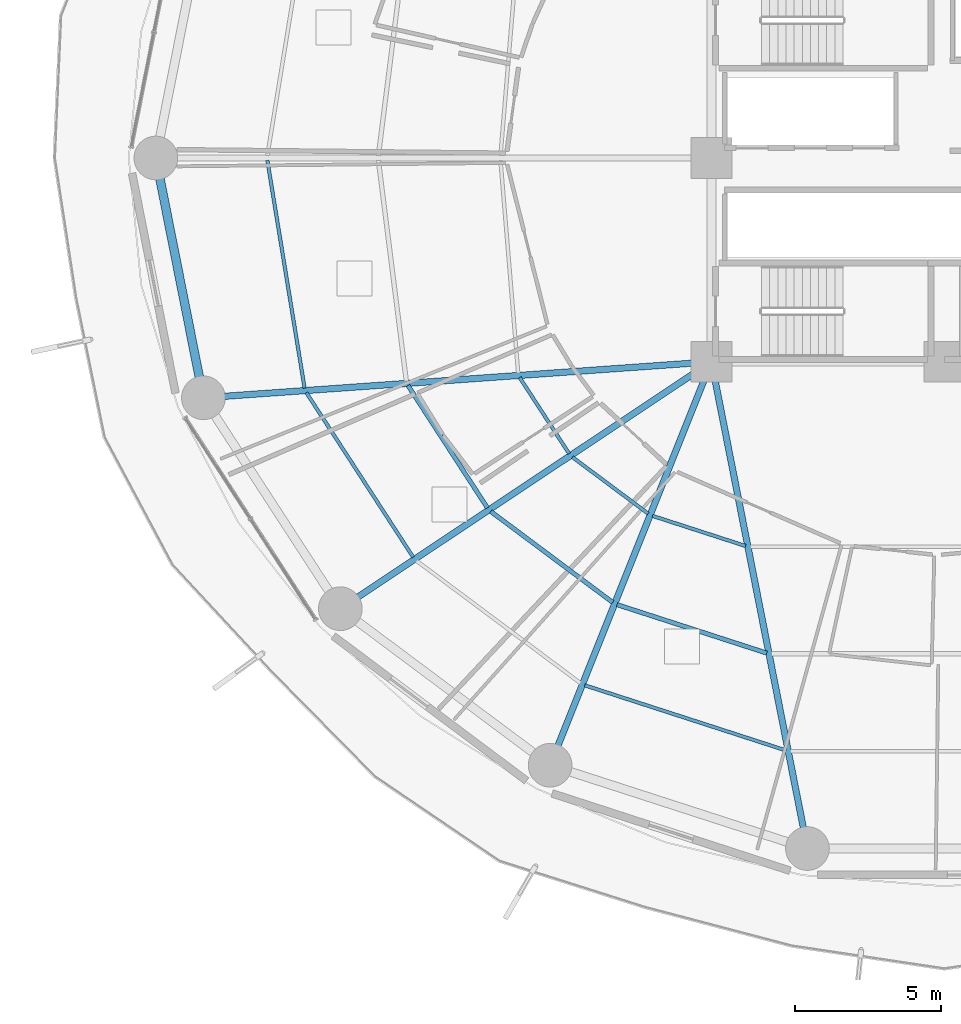
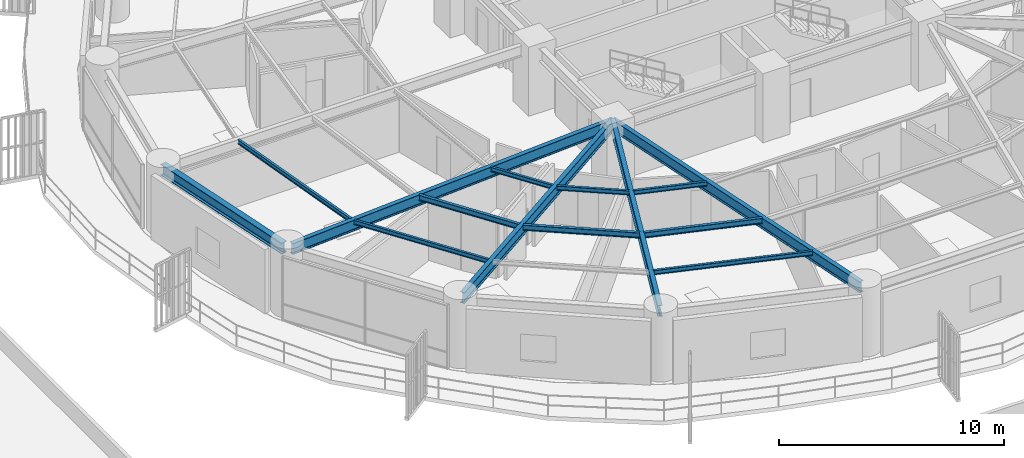
# One storey, part 4 of 35: 14 beams.
"""IFC4 building model written with IfcOpenShell, lengths in metres."""

import ifcopenshell
import ifcopenshell.guid

model = None  # the IFC model being written
_history = None  # IfcOwnerHistory: only IFC2X3 demands one
_inside = {}  # id of a spatial element -> (the spatial element, [elements in it])
_under = {}  # id of a project, library or spatial element -> (it, [spatial elements below it])
_declared = {}  # id of a project -> (the project, [libraries it declares])
_typed = {}  # id of a type object -> (the type object, [elements of that type])
_made_of = {}  # id of a material, layer set ... -> (it, [elements and type objects made of it])


def new_model(schema):
    """Start an empty IFC model of exactly this schema.

    Asked for "IFC4X3", IfcOpenShell would pick the latest addendum, in which some entities
    have other attributes; the version numbers below select the first issue.
    IFC2X3 requires an IfcOwnerHistory on every rooted entity: one is made here for all.
    """
    global model, _history
    if schema == "IFC4X3":
        model = ifcopenshell.file(schema_version=(4, 3, 0, 0))
    else:
        model = ifcopenshell.file(schema=schema)
    _inside.clear()
    _under.clear()
    _declared.clear()
    _typed.clear()
    _made_of.clear()
    _history = None
    if model.schema == "IFC2X3":
        org = make("IfcOrganization", Name="unknown")
        user = make(
            "IfcPersonAndOrganization",
            ThePerson=make("IfcPerson", FamilyName="unknown"),
            TheOrganization=org,
        )
        app = make(
            "IfcApplication",
            ApplicationDeveloper=org,
            Version="unknown",
            ApplicationFullName="unknown",
            ApplicationIdentifier="unknown",
        )
        _history = make(
            "IfcOwnerHistory",
            OwningUser=user,
            OwningApplication=app,
            ChangeAction="ADDED",
            CreationDate=0,
        )
    return model


def make(cls, **values):
    """One entity of the class cls with the attributes given. An attribute that is None is left unset."""
    return model.create_entity(
        cls, **{name: value for name, value in values.items() if value is not None}
    )


def rooted(cls, **values):
    """An entity with a GlobalId (a new one), such as an element, a storey or a relation."""
    return make(cls, GlobalId=ifcopenshell.guid.new(), OwnerHistory=_history, **values)


def si_unit(unit_type, name, prefix=None):
    """IfcSIUnit, for example si_unit("LENGTHUNIT", "METRE", prefix="MILLI")."""
    return make("IfcSIUnit", UnitType=unit_type, Prefix=prefix, Name=name)


def assignment(units):
    """IfcUnitAssignment: the units of a project."""
    return None if units is None else make("IfcUnitAssignment", Units=units)


def point(xyz):
    """IfcCartesianPoint."""
    return None if xyz is None else make("IfcCartesianPoint", Coordinates=xyz)


def direction(xyz):
    """IfcDirection."""
    return None if xyz is None else make("IfcDirection", DirectionRatios=xyz)


def frame(location, z_axis=None, x_axis=None):
    """IfcAxis2Placement3D, a coordinate frame: its origin and axes. An axis left out is left unset."""
    return make(
        "IfcAxis2Placement3D",
        Location=point(location),
        Axis=direction(z_axis),
        RefDirection=direction(x_axis),
    )


def frame_2d(location, x_axis=None):
    """IfcAxis2Placement2D, a coordinate frame in the plane: its origin and x axis."""
    return make(
        "IfcAxis2Placement2D", Location=point(location), RefDirection=direction(x_axis)
    )


def origin():
    """The frame at (0, 0, 0) with its axes left unset."""
    return frame((0.0, 0.0, 0.0))


def origin_2d():
    """The frame at (0, 0) in the plane with its x axis left unset."""
    return frame_2d((0.0, 0.0))


def place(relative_to, where):
    """IfcLocalPlacement: puts the frame where relative to a parent placement (None: the world)."""
    return make(
        "IfcLocalPlacement", PlacementRelTo=relative_to, RelativePlacement=where
    )


def context(
    kind, dimensions, precision=None, world=None, true_north=None, identifier=None
):
    """IfcGeometricRepresentationContext, for example the 3D "Model" context."""
    return make(
        "IfcGeometricRepresentationContext",
        ContextIdentifier=identifier,
        ContextType=kind,
        CoordinateSpaceDimension=dimensions,
        Precision=precision,
        WorldCoordinateSystem=world,
        TrueNorth=true_north,
    )


def subcontext(parent, identifier, kind, view, scale=None):
    """IfcGeometricRepresentationSubContext, for example "Body" below "Model"."""
    return make(
        "IfcGeometricRepresentationSubContext",
        ContextIdentifier=identifier,
        ContextType=kind,
        ParentContext=parent,
        TargetScale=scale,
        TargetView=view,
    )


def project(units=None, contexts=None):
    """IfcProject with its units and contexts."""
    return rooted(
        "IfcProject",
        Name="project",
        RepresentationContexts=contexts,
        UnitsInContext=assignment(units),
    )


def spatial(cls, under=None, at=None, **own):
    """A site, building, storey or space (cls), placed at a placement, below another one or the project."""
    s = rooted(cls, ObjectPlacement=at, **own)
    if under is not None:
        _under.setdefault(under.id(), (under, []))[1].append(s)
    return s


def profile(cls, at=None, kind="AREA", **sizes):
    """A parametric profile (cls). Its sizes go by their IFC names, for example OverallWidth=200.0."""
    return make(cls, ProfileType=kind, Position=at, **sizes)


def i_section(**sizes):
    """IfcIShapeProfileDef."""
    return profile("IfcIShapeProfileDef", **sizes)


def extrude(swept, where, along, depth):
    """IfcExtrudedAreaSolid: the profile swept, set in the frame where, extruded along a direction by depth."""
    return make(
        "IfcExtrudedAreaSolid",
        SweptArea=swept,
        Position=where,
        ExtrudedDirection=direction(along),
        Depth=depth,
    )


def shape(context_of_items, identifier, shape_type, items):
    """IfcShapeRepresentation: the items that make up one representation, for example the "Body"."""
    return make(
        "IfcShapeRepresentation",
        ContextOfItems=context_of_items,
        RepresentationIdentifier=identifier,
        RepresentationType=shape_type,
        Items=items,
    )


def material(Name=None, Category=None):
    """IfcMaterial."""
    return make("IfcMaterial", Name=Name, Category=Category)


def material_profile(
    of_material, cross_section, Name=None, Category=None, Priority=None
):
    """IfcMaterialProfile: a cross section and its material."""
    return make(
        "IfcMaterialProfile",
        Name=Name,
        Material=of_material,
        Profile=cross_section,
        Priority=Priority,
        Category=Category,
    )


def profile_set(profiles, Name=None, composite=None):
    """IfcMaterialProfileSet."""
    return make(
        "IfcMaterialProfileSet",
        Name=Name,
        MaterialProfiles=profiles,
        CompositeProfile=composite,
    )


def made_of(thing, what):
    """Note that an element or type object is made of a material, layer set ...; save() writes the relation."""
    if what is not None:
        _made_of.setdefault(what.id(), (what, []))[1].append(thing)
    return thing


def type_object(cls, material=None, **own):
    """A type object (cls), such as IfcWallType, which elements share."""
    return made_of(rooted(cls, **own), material)


def element(
    cls,
    number,
    at=None,
    inside=None,
    cuts=None,
    type_object=None,
    material=None,
    context=None,
    identifier="Body",
    shape_type=None,
    held_by="IfcProductDefinitionShape",
    body=None,
    shapes=None,
    **own,
):
    """One element of the class cls, such as IfcWall. Its Tag is "e" and its number.

    at: its placement. inside: the storey or other place that contains it. cuts: it is an
    opening in that element (IfcRelVoidsElement). A single representation is given by context,
    identifier, shape_type and body (its items); several are given by shapes. held_by: the class
    of the entity that holds the representations. save() writes the other relations.
    """
    e = rooted(cls, Tag="e%d" % number, ObjectPlacement=at, **own)
    if body is not None:
        shapes = [shape(context, identifier, shape_type, body)]
    if shapes is not None:
        e.Representation = make(held_by, Representations=shapes)
    if inside is not None:
        _inside.setdefault(inside.id(), (inside, []))[1].append(e)
    if cuts is not None:
        rooted(
            "IfcRelVoidsElement", RelatingBuildingElement=cuts, RelatedOpeningElement=e
        )
    if type_object is not None:
        _typed.setdefault(type_object.id(), (type_object, []))[1].append(e)
    return made_of(e, material)


def aggregate(whole, parts):
    """IfcRelAggregates: a whole, such as a stair, and the parts it consists of."""
    return rooted("IfcRelAggregates", RelatingObject=whole, RelatedObjects=parts)


def save(model, path):
    """Write the relations noted so far, then the file.

    IfcRelAggregates (storeys below a building ...), IfcRelContainedInSpatialStructure (elements
    in a storey), IfcRelDefinesByType, IfcRelAssociatesMaterial and IfcRelDeclares: one each for
    every whole, place, type object, material and project.
    """
    for whole, parts in _under.values():
        aggregate(whole, parts)
    for where, things in _inside.values():
        rooted(
            "IfcRelContainedInSpatialStructure",
            RelatedElements=things,
            RelatingStructure=where,
        )
    for kind, things in _typed.values():
        rooted("IfcRelDefinesByType", RelatedObjects=things, RelatingType=kind)
    for what, things in _made_of.values():
        rooted("IfcRelAssociatesMaterial", RelatedObjects=things, RelatingMaterial=what)
    for by, libraries in _declared.values():
        rooted("IfcRelDeclares", RelatingContext=by, RelatedDefinitions=libraries)
    model.write(path)


model = new_model("IFC4")

# Units and contexts
model_context = context("Model", 3, precision=1e-05, world=origin(), true_north=direction((0.0, 1.0)))
body_context = subcontext(model_context, "Body", "Model", "MODEL_VIEW")
ifc_project = project(units=[si_unit("LENGTHUNIT", "METRE"), si_unit("AREAUNIT", "SQUARE_METRE"), si_unit("VOLUMEUNIT", "CUBIC_METRE"), si_unit("PLANEANGLEUNIT", "RADIAN"), si_unit("MASSUNIT", "GRAM", prefix="KILO")], contexts=[model_context])

# Site, building, storey
site_placement = place(None, origin())
site = spatial("IfcSite", under=ifc_project, at=site_placement, CompositionType="ELEMENT")
building_placement = place(site_placement, origin())
building = spatial("IfcBuilding", under=site, at=building_placement, Name="Kelanora Arch Commons", CompositionType="ELEMENT")
storey_placement = place(building_placement, frame((0.0, 0.0, 22.5)))
storey = spatial("IfcBuildingStorey", under=building, at=storey_placement, Name="L05", CompositionType="ELEMENT", Elevation=22.5)

# Beams
ifc_material = material(Name="Steel S355", Category="steel")
ifc_material_profile_1 = material_profile(ifc_material, i_section(OverallWidth=0.14990234375, OverallDepth=0.300048828125, WebThickness=0.007080078125, FlangeThickness=0.0107421875, FilletRadius=0.014892578125, at=origin_2d()), Name="IPE300")
ifc_profile_set_1 = profile_set([ifc_material_profile_1], Name="Steel S355")
beam_type_1 = type_object("IfcBeamType", Name="BM-JST-01", PredefinedType="JOIST", material=ifc_profile_set_1)
beam_1_placement = place(storey_placement, frame((55.578125, 50.187255859375, 3.340087890625), z_axis=(0.544551588245, -0.838727350061, 0.0), x_axis=(0.838727350061, 0.544551588245, 0.0)))
element("IfcBeam", 1, at=beam_1_placement, inside=storey, type_object=beam_type_1, Name="Secondary Chord Joist BJB-20 L05", PredefinedType="JOIST", context=body_context, shape_type="SweptSolid", body=[
    extrude(i_section(OverallWidth=0.14990234375, OverallDepth=0.300048828125, WebThickness=0.007080078125, FlangeThickness=0.0107421875, FilletRadius=0.014892578125, at=origin_2d()), origin(), (0.0, 0.0, 1.0), 5.010986328125),
])
beam_2_placement = place(storey_placement, frame((58.42138671875, 45.8623046875, 3.340087890625), z_axis=(0.801478251559, -0.598023922831, 0.0), x_axis=(0.598023922831, 0.801478251559, 0.0)))
element("IfcBeam", 2, at=beam_2_placement, inside=storey, type_object=beam_type_1, Name="Secondary Chord Joist BJB-22 L05", PredefinedType="JOIST", context=body_context, shape_type="SweptSolid", body=[
    extrude(i_section(OverallWidth=0.14990234375, OverallDepth=0.300048828125, WebThickness=0.007080078125, FlangeThickness=0.0107421875, FilletRadius=0.014892578125, at=origin_2d()), origin(), (0.0, 0.0, 1.0), 5.223388671875),
])
beam_3_placement = place(storey_placement, frame((62.7568359375, 42.66162109375, 3.340087890625), z_axis=(0.951412209627, -0.307920131482, 0.0), x_axis=(0.307920131482, 0.951412209627, 0.0)))
element("IfcBeam", 3, at=beam_3_placement, inside=storey, type_object=beam_type_1, Name="Secondary Chord Joist BJB-24 L05", PredefinedType="JOIST", context=body_context, shape_type="SweptSolid", body=[
    extrude(i_section(OverallWidth=0.14990234375, OverallDepth=0.300048828125, WebThickness=0.007080078125, FlangeThickness=0.0107421875, FilletRadius=0.014892578125, at=origin_2d()), origin(), (0.0, 0.0, 1.0), 5.4033203125),
])
ifc_material_profile_2 = material_profile(ifc_material, i_section(OverallWidth=0.1201171875, OverallDepth=0.239990234375, WebThickness=0.006103515625, FlangeThickness=0.009765625, FilletRadius=0.014892578125, at=origin_2d()), Name="IPE240")
ifc_profile_set_2 = profile_set([ifc_material_profile_2], Name="Steel S355")
beam_type_2 = type_object("IfcBeamType", Name="BM-JST-02", PredefinedType="JOIST", material=ifc_profile_set_2)
beam_4_placement = place(storey_placement, frame((50.749755859375, 57.916015625, 3.3701171875), z_axis=(0.161400737199, -0.986888951216, 0.0), x_axis=(0.986888951216, 0.161400737199, 0.0)))
element("IfcBeam", 4, at=beam_4_placement, inside=storey, type_object=beam_type_2, Name="Secondary Chord Joist BJC-18 L05", PredefinedType="JOIST", context=body_context, shape_type="SweptSolid", body=[
    extrude(i_section(OverallWidth=0.1201171875, OverallDepth=0.239990234375, WebThickness=0.006103515625, FlangeThickness=0.009765625, FilletRadius=0.014892578125, at=origin_2d()), origin(), (0.0, 0.0, 1.0), 7.9248046875),
])
beam_5_placement = place(storey_placement, frame((59.41650390625, 50.458984375, 3.3701171875), z_axis=(0.544591105858, -0.838701691557, 0.0), x_axis=(0.838701691557, 0.544591105858, 0.0)))
element("IfcBeam", 5, at=beam_5_placement, inside=storey, type_object=beam_type_2, Name="Secondary Chord Joist BJA-20 L05", PredefinedType="JOIST", context=body_context, shape_type="SweptSolid", body=[
    extrude(i_section(OverallWidth=0.1201171875, OverallDepth=0.239990234375, WebThickness=0.006103515625, FlangeThickness=0.009765625, FilletRadius=0.014892578125, at=origin_2d()), origin(), (0.0, 0.0, 1.0), 3.111328125),
])
beam_6_placement = place(storey_placement, frame((52.0888671875, 49.940185546875, 3.3701171875), z_axis=(0.544550165372, -0.838728273873, 0.0), x_axis=(0.838728273873, 0.544550165372, 0.0)))
element("IfcBeam", 6, at=beam_6_placement, inside=storey, type_object=beam_type_2, Name="Secondary Chord Joist BJC-20 L05", PredefinedType="JOIST", context=body_context, shape_type="SweptSolid", body=[
    extrude(i_section(OverallWidth=0.1201171875, OverallDepth=0.239990234375, WebThickness=0.006103515625, FlangeThickness=0.009765625, FilletRadius=0.014892578125, at=origin_2d()), origin(), (0.0, 0.0, 1.0), 6.738037109375),
])
beam_7_placement = place(storey_placement, frame((61.22509765625, 47.727294921875, 3.3701171875), z_axis=(0.801513822608, -0.59797624716, 0.0), x_axis=(0.59797624716, 0.801513822608, 0.0)))
element("IfcBeam", 7, at=beam_7_placement, inside=storey, type_object=beam_type_2, Name="Secondary Chord Joist BJA-22 L05", PredefinedType="JOIST", context=body_context, shape_type="SweptSolid", body=[
    extrude(i_section(OverallWidth=0.1201171875, OverallDepth=0.239990234375, WebThickness=0.006103515625, FlangeThickness=0.009765625, FilletRadius=0.014892578125, at=origin_2d()), origin(), (0.0, 0.0, 1.0), 3.245849609375),
])
beam_8_placement = place(storey_placement, frame((63.9755859375, 45.709228515625, 3.3701171875), z_axis=(0.951422608074, -0.30788800049, 0.0), x_axis=(0.30788800049, 0.951422608074, 0.0)))
element("IfcBeam", 8, at=beam_8_placement, inside=storey, type_object=beam_type_2, Name="Secondary Chord Joist BJA-24 L05", PredefinedType="JOIST", context=body_context, shape_type="SweptSolid", body=[
    extrude(i_section(OverallWidth=0.1201171875, OverallDepth=0.239990234375, WebThickness=0.006103515625, FlangeThickness=0.009765625, FilletRadius=0.014892578125, at=origin_2d()), origin(), (0.0, 0.0, 1.0), 3.359619140625),
])
beam_9_placement = place(storey_placement, frame((61.64892578125, 39.890625, 3.3701171875), z_axis=(0.951410915705, -0.307924129418, 0.0), x_axis=(0.307924129418, 0.951410915705, 0.0)))
element("IfcBeam", 9, at=beam_9_placement, inside=storey, type_object=beam_type_2, Name="Secondary Chord Joist BJC-24 L05", PredefinedType="JOIST", context=body_context, shape_type="SweptSolid", body=[
    extrude(i_section(OverallWidth=0.1201171875, OverallDepth=0.239990234375, WebThickness=0.006103515625, FlangeThickness=0.009765625, FilletRadius=0.014892578125, at=origin_2d()), origin(), (0.0, 0.0, 1.0), 7.260986328125),
])
ifc_material_profile_3 = material_profile(ifc_material, i_section(OverallWidth=0.219970703125, OverallDepth=0.60009765625, WebThickness=0.011962890625, FlangeThickness=0.01904296875, FilletRadius=0.02392578125, at=origin_2d()), Name="IPE600")
ifc_profile_set_3 = profile_set([ifc_material_profile_3], Name="Steel S355")
beam_type_3 = type_object("IfcBeamType", Name="BM-RAD-Z1", PredefinedType="BEAM", material=ifc_profile_set_3)
beam_10_placement = place(storey_placement, frame((66.0, 51.0, 3.18994140625), z_axis=(-0.997500932078, -0.070653312055, 0.0), x_axis=(0.070653312055, -0.997500932078, 0.0)))
element("IfcBeam", 10, at=beam_10_placement, inside=storey, type_object=beam_type_3, Name="Radial Floor Girder BR-20 L05", PredefinedType="BEAM", context=body_context, shape_type="SweptSolid", body=[
    extrude(i_section(OverallWidth=0.219970703125, OverallDepth=0.60009765625, WebThickness=0.011962890625, FlangeThickness=0.01904296875, FilletRadius=0.02392578125, at=origin_2d()), origin(), (0.0, 0.0, 1.0), 17.2705078125),
])
beam_11_placement = place(storey_placement, frame((66.0, 51.0, 3.18994140625), z_axis=(-0.832592623638, -0.553885839379, 0.0), x_axis=(0.553885839379, -0.832592623638, 0.0)))
element("IfcBeam", 11, at=beam_11_placement, inside=storey, type_object=beam_type_3, Name="Radial Floor Girder BR-22 L05", PredefinedType="BEAM", context=body_context, shape_type="SweptSolid", body=[
    extrude(i_section(OverallWidth=0.219970703125, OverallDepth=0.60009765625, WebThickness=0.011962890625, FlangeThickness=0.01904296875, FilletRadius=0.02392578125, at=origin_2d()), origin(), (0.0, 0.0, 1.0), 15.0869140625),
])
beam_12_placement = place(storey_placement, frame((66.0, 51.0, 3.18994140625), z_axis=(-0.371296182896, -0.928514482691, 0.0), x_axis=(0.928514482691, -0.371296182896, 0.0)))
element("IfcBeam", 12, at=beam_12_placement, inside=storey, type_object=beam_type_3, Name="Radial Floor Girder BR-24 L05", PredefinedType="BEAM", context=body_context, shape_type="SweptSolid", body=[
    extrude(i_section(OverallWidth=0.219970703125, OverallDepth=0.60009765625, WebThickness=0.011962890625, FlangeThickness=0.01904296875, FilletRadius=0.02392578125, at=origin_2d()), origin(), (0.0, 0.0, 1.0), 14.700439453125),
])
beam_13_placement = place(storey_placement, frame((66.0, 51.0, 3.18994140625), z_axis=(0.193555256292, -0.981089375522, 0.0), x_axis=(0.981089375522, 0.193555256292, 0.0)))
element("IfcBeam", 13, at=beam_13_placement, inside=storey, type_object=beam_type_3, Name="Radial Floor Girder BR-26 L05", PredefinedType="BEAM", context=body_context, shape_type="SweptSolid", body=[
    extrude(i_section(OverallWidth=0.219970703125, OverallDepth=0.60009765625, WebThickness=0.011962890625, FlangeThickness=0.01904296875, FilletRadius=0.02392578125, at=origin_2d()), origin(), (0.0, 0.0, 1.0), 16.81640625),
])
ifc_material_profile_4 = material_profile(ifc_material, i_section(OverallWidth=0.300048828125, OverallDepth=0.60009765625, WebThickness=0.015380859375, FlangeThickness=0.030029296875, FilletRadius=0.027099609375, at=origin_2d()), Name="HEB600")
ifc_profile_set_4 = profile_set([ifc_material_profile_4], Name="Steel S355")
beam_type_4 = type_object("IfcBeamType", Name="BM-SPN-Z1", PredefinedType="SPANDREL", material=ifc_profile_set_4)
beam_14_placement = place(storey_placement, frame((46.919921875, 58.0, 3.18994140625), z_axis=(0.194508025468, -0.980900926714, 0.0), x_axis=(0.980900926714, 0.194508025468, 0.0)))
element("IfcBeam", 14, at=beam_14_placement, inside=storey, type_object=beam_type_4, Name="Perimeter Spandrel Beam BS-18 L05", PredefinedType="SPANDREL", context=body_context, shape_type="SweptSolid", body=[
    extrude(i_section(OverallWidth=0.300048828125, OverallDepth=0.60009765625, WebThickness=0.015380859375, FlangeThickness=0.030029296875, FilletRadius=0.027099609375, at=origin_2d()), origin(), (0.0, 0.0, 1.0), 8.17626953125),
])

save(model, "model.ifc")
